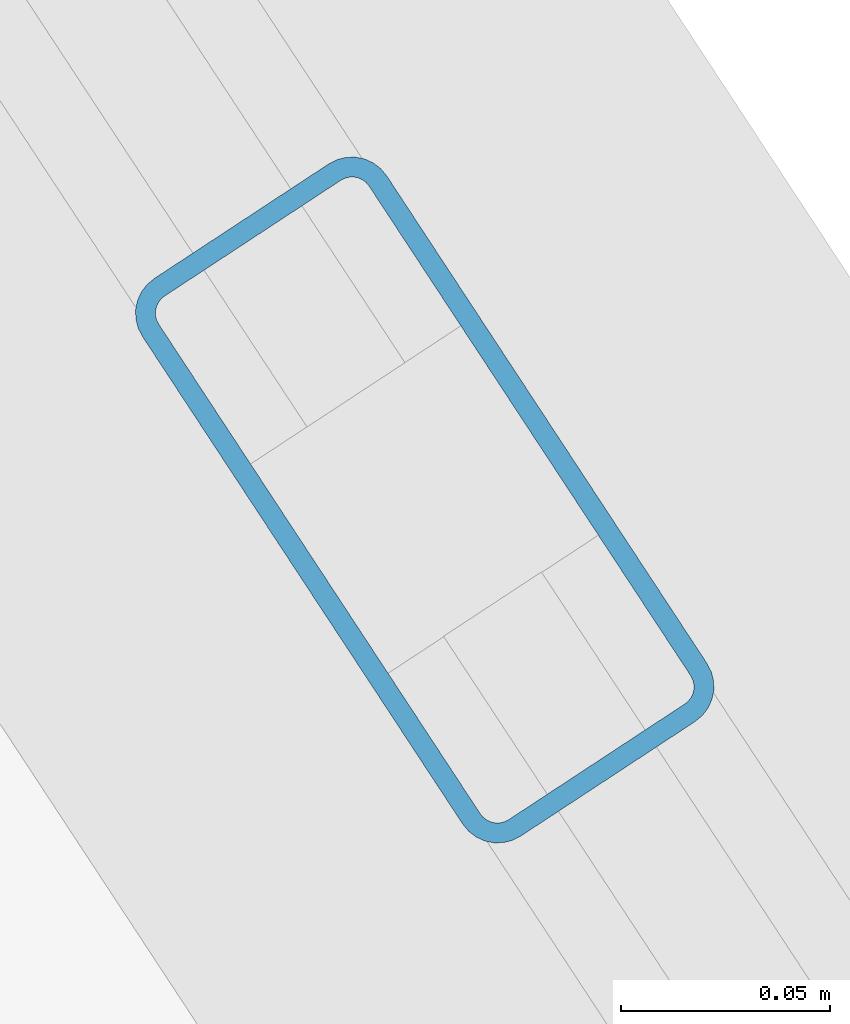
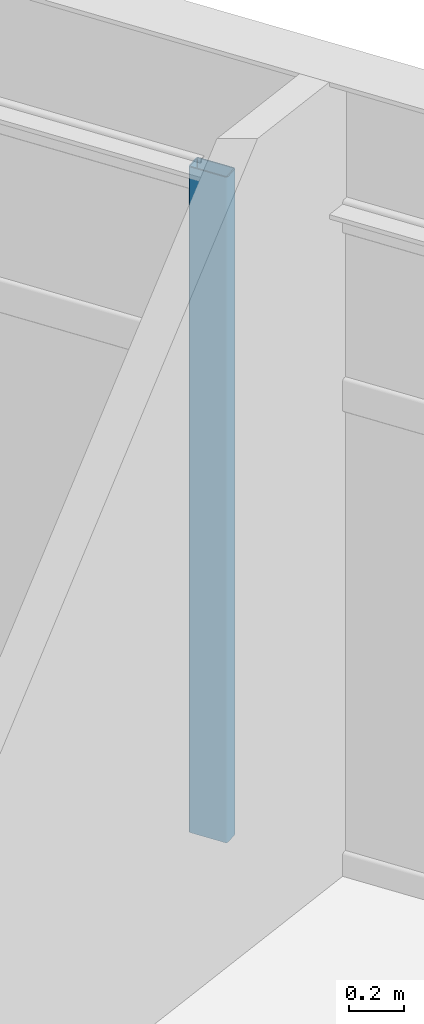
# One storey, part 14 of 25: 1 member, 1 element without a shape of its own.
"""IFC4 building model written with IfcOpenShell, lengths in metres."""

from ifc_helpers import new_model, si_unit, direction, frame, origin, origin_2d, place, context, subcontext, project, spatial, hollow_rectangle, extrude, material, layer, layer_set, material_profile, profile_set, type_object, element, aggregate, save


model = new_model("IFC4")

# Units and contexts
model_context = context("Model", 3, precision=1e-05, world=origin(), true_north=direction((0.0, 1.0)))
body_context = subcontext(model_context, "Body", "Model", "MODEL_VIEW")
ifc_project = project(units=[si_unit("LENGTHUNIT", "METRE"), si_unit("AREAUNIT", "SQUARE_METRE"), si_unit("VOLUMEUNIT", "CUBIC_METRE"), si_unit("PLANEANGLEUNIT", "RADIAN"), si_unit("MASSUNIT", "GRAM", prefix="KILO")], contexts=[model_context])

# Site, building, storey
site_placement = place(None, origin())
site = spatial("IfcSite", under=ifc_project, at=site_placement, CompositionType="ELEMENT")
building_placement = place(site_placement, origin())
building = spatial("IfcBuilding", under=site, at=building_placement, Name="Soratama Intermodal Tower", CompositionType="ELEMENT")
storey_placement = place(building_placement, frame((0.0, 0.0, 87.39990234375)))
storey = spatial("IfcBuildingStorey", under=building, at=storey_placement, Name="L20", CompositionType="ELEMENT", Elevation=87.39990234375)

# Curtain wall, member
ifc_material_1 = material(Name="Double-glazed aluminium curtain wall", Category="aluminium")
ifc_layer = layer(ifc_material_1, 0.159912109375)
ifc_layer_set = layer_set([ifc_layer], Name="Double-glazed aluminium curtain wall")
curtain_wall_type = type_object("IfcCurtainWallType", Name="CW-SYS-3", PredefinedType="NOTDEFINED", material=ifc_layer_set)
curtain_wall_placement = place(storey_placement, origin())
curtain_wall = element("IfcCurtainWall", 1, at=curtain_wall_placement, inside=storey, type_object=curtain_wall_type, Name="L20 Faceted Curtain Wall F01", PredefinedType="NOTDEFINED")
ifc_material_2 = material(Name="Anodised aluminium AA 6063-T6", Category="aluminium")
ifc_material_profile = material_profile(ifc_material_2, hollow_rectangle(XDim=0.070068359375, YDim=0.159912109375, WallThickness=0.0048828125, InnerFilletRadius=0.0048828125, OuterFilletRadius=0.010009765625, at=origin_2d()), Name="CWM160X70X5")
ifc_profile_set = profile_set([ifc_material_profile], Name="Anodised aluminium AA 6063-T6")
member_type = type_object("IfcMemberType", Name="MT-CWM-3", PredefinedType="MULLION", material=ifc_profile_set)
member_placement = place(storey_placement, frame((60.754150390625, 35.348388671875, 0.0), z_axis=(0.0, 0.0, 1.0), x_axis=(-0.835807444082, -0.549022692078, 0.0)))
member = element("IfcMember", 2, at=member_placement, type_object=member_type, Name="CW-3 mullion 2", PredefinedType="MULLION", context=body_context, shape_type="SweptSolid", body=[
    extrude(hollow_rectangle(XDim=0.070068359375, YDim=0.159912109375, WallThickness=0.0048828125, InnerFilletRadius=0.0048828125, OuterFilletRadius=0.010009765625, at=origin_2d()), origin(), (0.0, 0.0, 1.0), 2.97900390625),
])
aggregate(curtain_wall, [member])

save(model, "model.ifc")
